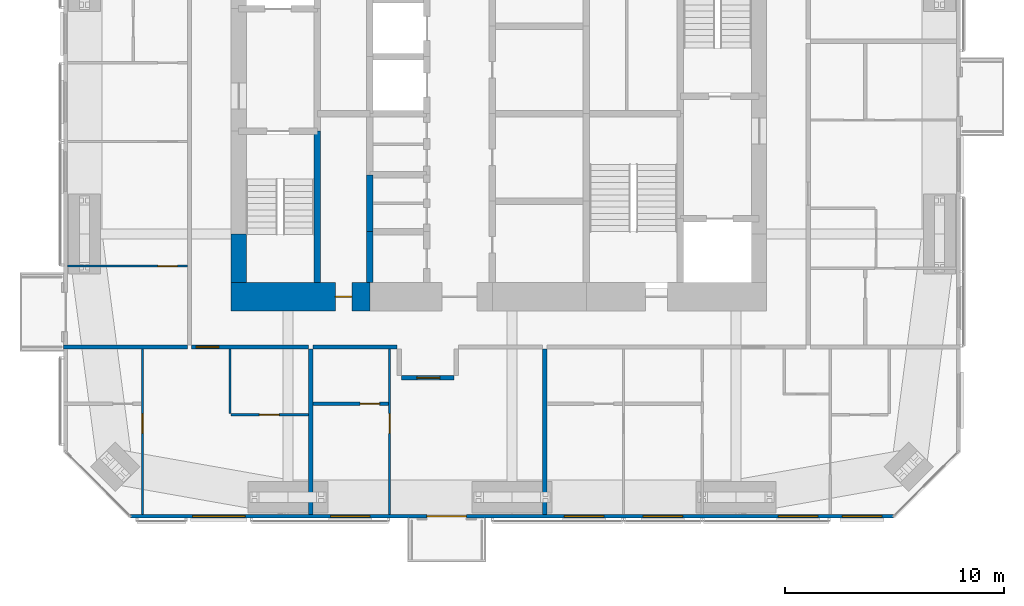
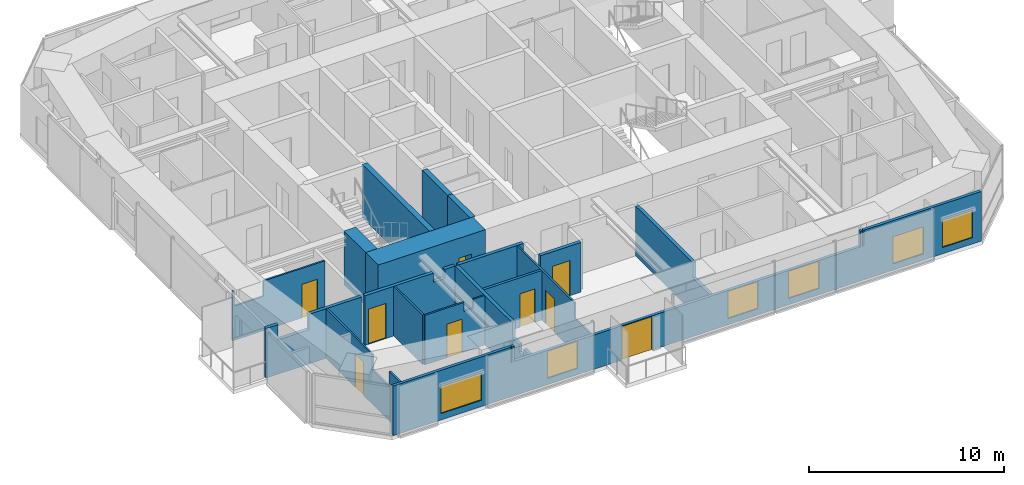
# One storey, part 16 of 23: 18 walls, 9 doors, 6 windows, 15 openings.
"""IFC4 building model written with IfcOpenShell, lengths in metres."""

from ifc_helpers import new_model, si_unit, direction, frame, frame_2d, origin, place, context, subcontext, project, spatial, polyline, rectangle, outline, extrude, material, layer, layer_set, constituent, constituent_set, type_object, element, fill, save


model = new_model("IFC4")

# Units and contexts
model_context = context("Model", 3, precision=1e-05, world=origin(), true_north=direction((0.0, 1.0)))
body_context = subcontext(model_context, "Body", "Model", "MODEL_VIEW")
ifc_project = project(units=[si_unit("LENGTHUNIT", "METRE"), si_unit("AREAUNIT", "SQUARE_METRE"), si_unit("VOLUMEUNIT", "CUBIC_METRE"), si_unit("PLANEANGLEUNIT", "RADIAN"), si_unit("MASSUNIT", "GRAM", prefix="KILO")], contexts=[model_context])

# Site, building, storey
site_placement = place(None, origin())
site = spatial("IfcSite", under=ifc_project, at=site_placement, CompositionType="ELEMENT")
building_placement = place(site_placement, origin())
building = spatial("IfcBuilding", under=site, at=building_placement, Name="Jalousie Tower", CompositionType="ELEMENT")
storey_placement = place(building_placement, frame((0.0, 0.0, 191.199951171875)))
storey = spatial("IfcBuildingStorey", under=building, at=storey_placement, Name="L52", CompositionType="ELEMENT", Elevation=191.199951171875)

# Wall, opening, door
ifc_material_1 = material(Name="Concrete block ASTM C90", Category="concrete")
ifc_constituent_1 = constituent(ifc_material_1, Name="Body")
ifc_material_2 = material(Name="Render")
ifc_constituent_2 = constituent(ifc_material_2, Name="Finish")
ifc_constituent_set_1 = constituent_set(constituents=[ifc_constituent_1, ifc_constituent_2])
wall_type_1 = type_object("IfcWallType", Name="BATHROOM WALL 150", PredefinedType="PLUMBINGWALL", material=ifc_constituent_set_1)
wall_1_placement = place(storey_placement, frame((23.39990234375, 5.22509765625, 0.0), z_axis=(0.0, 0.0, 1.0), x_axis=(1.0, 0.0, 0.0)))
wall_1 = element("IfcWall", 1, at=wall_1_placement, inside=storey, type_object=wall_type_1, Name="Bathroom Wall 150 L52", PredefinedType="PLUMBINGWALL", context=body_context, shape_type="SweptSolid", body=[
    extrude(rectangle(XDim=3.4501953125, YDim=0.14990234375, at=frame_2d((1.72509765625, 0.0))), origin(), (0.0, 0.0, 1.0), 3.110107421875),
])
opening_1_placement = place(wall_1_placement, frame((2.14990234375, 0.0, 0.0)))
opening_1 = element("IfcOpeningElement", 2, at=opening_1_placement, cuts=wall_1, Name="Opening D3", PredefinedType="OPENING", context=body_context, shape_type="SweptSolid", body=[
    extrude(rectangle(XDim=0.89990234375, YDim=2.10009765625, at=frame_2d((0.449951171875, 1.050048828125))), frame((0.0, 0.0849609375, 0.0), z_axis=(0.0, -1.0, 0.0), x_axis=(1.0, 0.0, 0.0)), (0.0, 0.0, 1.0), 0.169921875),
])
ifc_material_3 = material(Name="Timber door", Category="wood")
door_type_1 = type_object("IfcDoorType", Name="BATHROOM DOOR 900", OperationType="SINGLE_SWING_LEFT", PredefinedType="DOOR", material=ifc_material_3)
door_1_placement = place(opening_1_placement, origin())
door_1 = element("IfcDoor", 3, at=door_1_placement, inside=storey, type_object=door_type_1, Name="Apartment 5202 bedroom 1 bathroom door", OperationType="SINGLE_SWING_RIGHT", OverallHeight=2.10009765625, OverallWidth=0.89990234375, PredefinedType="DOOR", context=body_context, shape_type="SweptSolid", body=[
    extrude(rectangle(XDim=0.89990234375, YDim=2.10009765625, at=frame_2d((0.449951171875, 1.050048828125))), frame((0.0, 0.02490234375, 0.0), z_axis=(0.0, -1.0, 0.0), x_axis=(1.0, 0.0, 0.0)), (0.0, 0.0, 1.0), 0.050048828125),
])
fill(opening_1, door_1)

ifc_material_4 = material(Name="Concrete f'c 120 MPa", Category="concrete")
ifc_layer_1 = layer(ifc_material_4, 1.300048828125)
ifc_layer_set_1 = layer_set([ifc_layer_1], Name="Concrete f'c 120 MPa")
wall_type_2 = type_object("IfcWallType", Name="CORE WALL 1300", PredefinedType="SHEAR", material=ifc_layer_set_1)
wall_2_placement = place(storey_placement, frame((19.64990234375, 10.125, 0.0), z_axis=(0.0, 0.0, 1.0), x_axis=(1.0, 0.0, 0.0)))
wall_2 = element("IfcWall", 4, at=wall_2_placement, inside=storey, type_object=wall_type_2, Name="Core wall SA L52", PredefinedType="SHEAR", context=body_context, shape_type="SweptSolid", body=[
    extrude(rectangle(XDim=6.35009765625, YDim=1.300048828125, at=frame_2d((3.175048828125, 0.0))), origin(), (0.0, 0.0, 1.0), 3.35009765625),
])
opening_2_placement = place(wall_2_placement, frame((4.77490234375, 0.0, 0.0)))
opening_2 = element("IfcOpeningElement", 5, at=opening_2_placement, cuts=wall_2, Name="Opening D16", PredefinedType="OPENING", context=body_context, shape_type="SweptSolid", body=[
    extrude(rectangle(XDim=0.75, YDim=2.10009765625, at=frame_2d((0.375, 1.050048828125))), frame((0.0, 0.659912109375, 0.0), z_axis=(0.0, -1.0, 0.0), x_axis=(1.0, 0.0, 0.0)), (0.0, 0.0, 1.0), 1.320068359375),
])
ifc_material_5 = material(Name="Steel fire door", Category="steel")
door_type_2 = type_object("IfcDoorType", Name="RISER DOOR 750", OperationType="SINGLE_SWING_LEFT", PredefinedType="DOOR", material=ifc_material_5)
door_2_placement = place(opening_2_placement, origin())
door_2 = element("IfcDoor", 6, at=door_2_placement, inside=storey, type_object=door_type_2, Name="South riser door", OperationType="SINGLE_SWING_LEFT", OverallHeight=2.10009765625, OverallWidth=0.75, PredefinedType="DOOR", context=body_context, shape_type="SweptSolid", body=[
    extrude(rectangle(XDim=0.75, YDim=2.10009765625, at=frame_2d((0.375, 1.050048828125))), frame((0.0, 0.02490234375, 0.0), z_axis=(0.0, -1.0, 0.0), x_axis=(1.0, 0.0, 0.0)), (0.0, 0.0, 1.0), 0.050048828125),
])
fill(opening_2, door_2)

# Walls
ifc_material_6 = material(Name="Concrete f'c 120 MPa", Category="concrete")
ifc_layer_2 = layer(ifc_material_6, 0.300048828125)
ifc_layer_set_2 = layer_set([ifc_layer_2], Name="Concrete f'c 120 MPa")
wall_type_3 = type_object("IfcWallType", Name="CORE WALL 300", PredefinedType="SHEAR", material=ifc_layer_set_2)
wall_3_placement = place(storey_placement, frame((23.60009765625, 10.77490234375, 0.0), z_axis=(0.0, 0.0, 1.0), x_axis=(0.0, 1.0, 0.0)))
element("IfcWall", 7, at=wall_3_placement, inside=storey, type_object=wall_type_3, Name="Core wall X23.6A L52", PredefinedType="SHEAR", context=body_context, shape_type="SweptSolid", body=[
    extrude(rectangle(XDim=6.925048828125, YDim=0.300048828125, at=frame_2d((3.46240234375, 0.0))), origin(), (0.0, 0.0, 1.0), 3.35009765625),
])
wall_4_placement = place(storey_placement, frame((26.0, 10.77490234375, 0.0), z_axis=(0.0, 0.0, 1.0), x_axis=(0.0, 1.0, 0.0)))
element("IfcWall", 8, at=wall_4_placement, inside=storey, type_object=wall_type_3, Name="Core wall X26A L52", PredefinedType="SHEAR", context=body_context, shape_type="SweptSolid", body=[
    extrude(rectangle(XDim=2.3251953125, YDim=0.300048828125, at=frame_2d((1.16259765625, 0.0))), origin(), (0.0, 0.0, 1.0), 3.35009765625),
])
wall_5_placement = place(storey_placement, frame((26.0, 13.10009765625, 0.0), z_axis=(0.0, 0.0, 1.0), x_axis=(0.0, 1.0, 0.0)))
element("IfcWall", 9, at=wall_5_placement, inside=storey, type_object=wall_type_3, Name="Core wall X26B L52", PredefinedType="SHEAR", context=body_context, shape_type="SweptSolid", body=[
    extrude(rectangle(XDim=2.599853515625, YDim=0.300048828125, at=frame_2d((1.2998046875, 0.0))), origin(), (0.0, 0.0, 1.0), 3.35009765625),
])
ifc_material_7 = material(Name="Concrete f'c 120 MPa", Category="concrete")
ifc_layer_3 = layer(ifc_material_7, 0.699951171875)
ifc_layer_set_3 = layer_set([ifc_layer_3], Name="Concrete f'c 120 MPa")
wall_type_4 = type_object("IfcWallType", Name="CORE WALL 700", PredefinedType="SHEAR", material=ifc_layer_set_3)
wall_6_placement = place(storey_placement, frame((20.0, 13.0, 0.0), z_axis=(0.0, 0.0, 1.0), x_axis=(0.0, -1.0, 0.0)))
element("IfcWall", 10, at=wall_6_placement, inside=storey, type_object=wall_type_4, Name="Core wall WD L52", PredefinedType="SHEAR", context=body_context, shape_type="SweptSolid", body=[
    extrude(rectangle(XDim=2.22509765625, YDim=0.699951171875, at=frame_2d((1.112548828125, 0.0))), origin(), (0.0, 0.0, 1.0), 3.35009765625),
])

# Wall, opening, door
ifc_material_8 = material(Name="Concrete block ASTM C90", Category="concrete")
ifc_constituent_3 = constituent(ifc_material_8, Name="Body")
ifc_material_9 = material(Name="Render")
ifc_constituent_4 = constituent(ifc_material_9, Name="Finish")
ifc_constituent_set_2 = constituent_set(constituents=[ifc_constituent_3, ifc_constituent_4])
wall_type_5 = type_object("IfcWallType", Name="CORRIDOR WALL 200", PredefinedType="PARTITIONING", material=ifc_constituent_set_2)
wall_7_placement = place(storey_placement, frame((17.85009765625, 7.824951171875, 0.0), z_axis=(0.0, 0.0, 1.0), x_axis=(1.0, 0.0, 0.0)))
wall_7 = element("IfcWall", 11, at=wall_7_placement, inside=storey, type_object=wall_type_5, Name="Corridor Wall 200 L52", PredefinedType="PARTITIONING", context=body_context, shape_type="SweptSolid", body=[
    extrude(outline(polyline([(0.0, 0.0), (5.349853515625, 0.0), (5.35009765625, 3.110107421875), (4.7373046875, 3.110107421875), (4.7373046875, 2.541015625), (4.0625, 2.541015625), (4.0625, 3.110107421875), (0.0, 3.110107421875), (0.0, 0.0)])), frame((0.0, 0.10009765625, 0.0), z_axis=(0.0, -1.0, 0.0), x_axis=(1.0, 0.0, 0.0)), (0.0, 0.0, 1.0), 0.199951171875),
])
opening_3_placement = place(wall_7_placement, frame((0.199951171875, 0.0, 0.0)))
opening_3 = element("IfcOpeningElement", 12, at=opening_3_placement, cuts=wall_7, Name="Opening D1", PredefinedType="OPENING", context=body_context, shape_type="SweptSolid", body=[
    extrude(rectangle(XDim=1.050048828125, YDim=2.199951171875, at=frame_2d((0.52490234375, 1.10009765625))), frame((0.0, 0.10986328125, 0.0), z_axis=(0.0, -1.0, 0.0), x_axis=(1.0, 0.0, 0.0)), (0.0, 0.0, 1.0), 0.219970703125),
])
ifc_material_10 = material(Name="Timber fire door", Category="wood")
door_type_3 = type_object("IfcDoorType", Name="APARTMENT ENTRANCE DOOR 1050", OperationType="SINGLE_SWING_LEFT", PredefinedType="DOOR", material=ifc_material_10)
door_3_placement = place(opening_3_placement, frame((1.050048828125, 0.0, 0.0), z_axis=(0.0, 0.0, 1.0), x_axis=(-1.0, 0.0, 0.0)))
door_3 = element("IfcDoor", 13, at=door_3_placement, inside=storey, type_object=door_type_3, Name="Apartment 5201 entrance", OperationType="SINGLE_SWING_LEFT", OverallHeight=2.199951171875, OverallWidth=1.050048828125, PredefinedType="DOOR", context=body_context, shape_type="SweptSolid", body=[
    extrude(rectangle(XDim=1.050048828125, YDim=2.199951171875, at=frame_2d((0.52490234375, 1.10009765625))), frame((0.0, 0.02490234375, 0.0), z_axis=(0.0, -1.0, 0.0), x_axis=(1.0, 0.0, 0.0)), (0.0, 0.0, 1.0), 0.050048828125),
])
fill(opening_3, door_3)

# Wall
wall_8_placement = place(storey_placement, frame((23.39990234375, 7.824951171875, 0.0), z_axis=(0.0, 0.0, 1.0), x_axis=(1.0, 0.0, 0.0)))
element("IfcWall", 14, at=wall_8_placement, inside=storey, type_object=wall_type_5, Name="Corridor Wall 200 L52", PredefinedType="PARTITIONING", context=body_context, shape_type="SweptSolid", body=[
    extrude(rectangle(XDim=3.85009765625, YDim=0.199951171875, at=frame_2d((1.925048828125, 0.0))), origin(), (0.0, 0.0, 1.0), 3.110107421875),
])

# Wall, opening, door
wall_9_placement = place(storey_placement, frame((27.449951171875, 6.425048828125, 0.0), z_axis=(0.0, 0.0, 1.0), x_axis=(1.0, 0.0, 0.0)))
wall_9 = element("IfcWall", 15, at=wall_9_placement, inside=storey, type_object=wall_type_5, Name="Corridor Wall 200 L52", PredefinedType="PARTITIONING", context=body_context, shape_type="SweptSolid", body=[
    extrude(rectangle(XDim=2.400146484375, YDim=0.199951171875, at=frame_2d((1.2001953125, 0.0))), origin(), (0.0, 0.0, 1.0), 3.110107421875),
])
opening_4_placement = place(wall_9_placement, frame((0.699951171875, 0.0, 0.0)))
opening_4 = element("IfcOpeningElement", 16, at=opening_4_placement, cuts=wall_9, Name="Opening D1", PredefinedType="OPENING", context=body_context, shape_type="SweptSolid", body=[
    extrude(rectangle(XDim=1.050048828125, YDim=2.199951171875, at=frame_2d((0.52490234375, 1.10009765625))), frame((0.0, 0.10986328125, 0.0), z_axis=(0.0, -1.0, 0.0), x_axis=(1.0, 0.0, 0.0)), (0.0, 0.0, 1.0), 0.219970703125),
])
door_4_placement = place(opening_4_placement, frame((1.050048828125, 0.0, 0.0), z_axis=(0.0, 0.0, 1.0), x_axis=(-1.0, 0.0, 0.0)))
door_4 = element("IfcDoor", 17, at=door_4_placement, inside=storey, type_object=door_type_3, Name="Apartment 5202 entrance", OperationType="SINGLE_SWING_RIGHT", OverallHeight=2.199951171875, OverallWidth=1.050048828125, PredefinedType="DOOR", context=body_context, shape_type="SweptSolid", body=[
    extrude(rectangle(XDim=1.050048828125, YDim=2.199951171875, at=frame_2d((0.52490234375, 1.10009765625))), frame((0.0, 0.02490234375, 0.0), z_axis=(0.0, -1.0, 0.0), x_axis=(1.0, 0.0, 0.0)), (0.0, 0.0, 1.0), 0.050048828125),
])
fill(opening_4, door_4)

# Wall, openings, door, windows
ifc_material_11 = material(Name="Concrete f'c 40 MPa", Category="concrete")
ifc_constituent_5 = constituent(ifc_material_11, Name="Body")
ifc_material_12 = material(Name="Render, pastel lemon")
ifc_constituent_6 = constituent(ifc_material_12, Name="Finish")
ifc_constituent_set_3 = constituent_set(constituents=[ifc_constituent_5, ifc_constituent_6])
wall_type_6 = type_object("IfcWallType", Name="EXTERNAL WALL 175 LEMON RENDER", PredefinedType="SOLIDWALL", material=ifc_constituent_set_3)
wall_10_placement = place(storey_placement, frame((15.05126953125, 0.08740234375, 0.0), z_axis=(0.0, 0.0, 1.0), x_axis=(1.0, 0.0, 0.0)))
wall_10 = element("IfcWall", 18, at=wall_10_placement, inside=storey, type_object=wall_type_6, Name="External Wall 175 Lemon Render L52", PredefinedType="SOLIDWALL", context=body_context, shape_type="SweptSolid", body=[
    extrude(outline(polyline([(0.0, 0.0), (34.8974609375, 0.0), (34.8974609375, 3.110107421875), (27.91015625, 3.110107421875), (27.91015625, 2.150146484375), (27.8359375, 2.150146484375), (27.8359375, 3.110107421875), (27.69873046875, 3.110107421875), (27.69873046875, 2.150146484375), (7.19873046875, 2.150146484375), (7.19873046875, 3.110107421875), (7.0615234375, 3.110107421875), (7.0615234375, 2.150146484375), (6.9873046875, 2.150146484375), (6.9873046875, 3.110107421875), (0.0, 3.110107421875), (0.0, 0.0)])), frame((0.0, 0.08740234375, 0.0), z_axis=(0.0, -1.0, 0.0), x_axis=(1.0, 0.0, 0.0)), (0.0, 0.0, 1.0), 0.175048828125),
])
opening_5_placement = place(wall_10_placement, frame((2.840087890625, 0.0, 0.39990234375)))
opening_5 = element("IfcOpeningElement", 19, at=opening_5_placement, cuts=wall_10, Name="Opening W-LIV170", PredefinedType="OPENING", context=body_context, shape_type="SweptSolid", body=[
    extrude(rectangle(XDim=2.39990234375, YDim=1.699951171875, at=frame_2d((1.199951171875, 0.85009765625))), frame((0.0, 0.097412109375, 0.0), z_axis=(0.0, -1.0, 0.0), x_axis=(1.0, 0.0, 0.0)), (0.0, 0.0, 1.0), 0.195068359375),
])
opening_6_placement = place(wall_10_placement, frame((9.148681640625, 0.0, 0.39990234375)))
opening_6 = element("IfcOpeningElement", 20, at=opening_6_placement, cuts=wall_10, Name="Opening W-BED170", PredefinedType="OPENING", context=body_context, shape_type="SweptSolid", body=[
    extrude(rectangle(XDim=1.800048828125, YDim=1.699951171875, at=frame_2d((0.89990234375, 0.85009765625))), frame((0.0, 0.097412109375, 0.0), z_axis=(0.0, -1.0, 0.0), x_axis=(1.0, 0.0, 0.0)), (0.0, 0.0, 1.0), 0.195068359375),
])
opening_7_placement = place(wall_10_placement, frame((13.561279296875, 0.0, 0.0)))
opening_7 = element("IfcOpeningElement", 21, at=opening_7_placement, cuts=wall_10, Name="Opening D-BAL21", PredefinedType="OPENING", context=body_context, shape_type="SweptSolid", body=[
    extrude(rectangle(XDim=1.800048828125, YDim=2.10009765625, at=frame_2d((0.89990234375, 1.050048828125))), frame((0.0, 0.097412109375, 0.0), z_axis=(0.0, -1.0, 0.0), x_axis=(1.0, 0.0, 0.0)), (0.0, 0.0, 1.0), 0.195068359375),
])
opening_8_placement = place(wall_10_placement, frame((19.8486328125, 0.0, 0.39990234375)))
opening_8 = element("IfcOpeningElement", 22, at=opening_8_placement, cuts=wall_10, Name="Opening W-BED170", PredefinedType="OPENING", context=body_context, shape_type="SweptSolid", body=[
    extrude(rectangle(XDim=1.800048828125, YDim=1.699951171875, at=frame_2d((0.89990234375, 0.85009765625))), frame((0.0, 0.097412109375, 0.0), z_axis=(0.0, -1.0, 0.0), x_axis=(1.0, 0.0, 0.0)), (0.0, 0.0, 1.0), 0.195068359375),
])
opening_9_placement = place(wall_10_placement, frame((23.44873046875, 0.0, 0.39990234375)))
opening_9 = element("IfcOpeningElement", 23, at=opening_9_placement, cuts=wall_10, Name="Opening W-BED170", PredefinedType="OPENING", context=body_context, shape_type="SweptSolid", body=[
    extrude(rectangle(XDim=1.800048828125, YDim=1.699951171875, at=frame_2d((0.89990234375, 0.85009765625))), frame((0.0, 0.097412109375, 0.0), z_axis=(0.0, -1.0, 0.0), x_axis=(1.0, 0.0, 0.0)), (0.0, 0.0, 1.0), 0.195068359375),
])
opening_10_placement = place(wall_10_placement, frame((29.63623046875, 0.0, 0.39990234375)))
opening_10 = element("IfcOpeningElement", 24, at=opening_10_placement, cuts=wall_10, Name="Opening W-BED170", PredefinedType="OPENING", context=body_context, shape_type="SweptSolid", body=[
    extrude(rectangle(XDim=1.800048828125, YDim=1.699951171875, at=frame_2d((0.89990234375, 0.85009765625))), frame((0.0, 0.097412109375, 0.0), z_axis=(0.0, -1.0, 0.0), x_axis=(1.0, 0.0, 0.0)), (0.0, 0.0, 1.0), 0.195068359375),
])
opening_11_placement = place(wall_10_placement, frame((32.559814453125, 0.0, 0.39990234375)))
opening_11 = element("IfcOpeningElement", 25, at=opening_11_placement, cuts=wall_10, Name="Opening W-BED170", PredefinedType="OPENING", context=body_context, shape_type="SweptSolid", body=[
    extrude(rectangle(XDim=1.800048828125, YDim=1.699951171875, at=frame_2d((0.89990234375, 0.85009765625))), frame((0.0, 0.097412109375, 0.0), z_axis=(0.0, -1.0, 0.0), x_axis=(1.0, 0.0, 0.0)), (0.0, 0.0, 1.0), 0.195068359375),
])
ifc_material_13 = material(Name="Aluminium frame, impact-rated glazing", Category="aluminium")
door_type_4 = type_object("IfcDoorType", Name="BALCONY DOOR 1800x2100", OperationType="SLIDING_TO_LEFT", PredefinedType="DOOR", material=ifc_material_13)
door_5_placement = place(opening_7_placement, origin())
door_5 = element("IfcDoor", 26, at=door_5_placement, inside=storey, type_object=door_type_4, Name="Apartment 5202 living, dining and kitchen balcony door", OperationType="SLIDING_TO_LEFT", OverallHeight=2.10009765625, OverallWidth=1.800048828125, PredefinedType="DOOR", context=body_context, shape_type="SweptSolid", body=[
    extrude(rectangle(XDim=1.800048828125, YDim=2.10009765625, at=frame_2d((0.89990234375, 1.050048828125))), frame((0.0, 0.02490234375, 0.0), z_axis=(0.0, -1.0, 0.0), x_axis=(1.0, 0.0, 0.0)), (0.0, 0.0, 1.0), 0.050048828125),
])
fill(opening_7, door_5)
ifc_material_14 = material(Name="Aluminium frame, impact-rated glazing", Category="aluminium")
window_type_1 = type_object("IfcWindowType", Name="WINDOW BED 1800x1700", PartitioningType="SINGLE_PANEL", PredefinedType="WINDOW", material=ifc_material_14)
window_1_placement = place(opening_6_placement, origin())
window_1 = element("IfcWindow", 27, at=window_1_placement, inside=storey, type_object=window_type_1, Name="Apartment 5202 bedroom 1 window", OverallHeight=1.699951171875, OverallWidth=1.800048828125, PartitioningType="SINGLE_PANEL", PredefinedType="WINDOW", context=body_context, shape_type="SweptSolid", body=[
    extrude(rectangle(XDim=1.800048828125, YDim=1.699951171875, at=frame_2d((0.89990234375, 0.85009765625))), frame((0.0, 0.030029296875, 0.0), z_axis=(0.0, -1.0, 0.0), x_axis=(1.0, 0.0, 0.0)), (0.0, 0.0, 1.0), 0.06005859375),
])
fill(opening_6, window_1)
window_2_placement = place(opening_8_placement, origin())
window_2 = element("IfcWindow", 28, at=window_2_placement, inside=storey, type_object=window_type_1, Name="Apartment 5203 bedroom 1 window", OverallHeight=1.699951171875, OverallWidth=1.800048828125, PartitioningType="SINGLE_PANEL", PredefinedType="WINDOW", context=body_context, shape_type="SweptSolid", body=[
    extrude(rectangle(XDim=1.800048828125, YDim=1.699951171875, at=frame_2d((0.89990234375, 0.85009765625))), frame((0.0, 0.030029296875, 0.0), z_axis=(0.0, -1.0, 0.0), x_axis=(1.0, 0.0, 0.0)), (0.0, 0.0, 1.0), 0.06005859375),
])
fill(opening_8, window_2)
window_3_placement = place(opening_9_placement, origin())
window_3 = element("IfcWindow", 29, at=window_3_placement, inside=storey, type_object=window_type_1, Name="Apartment 5203 bedroom 2 window", OverallHeight=1.699951171875, OverallWidth=1.800048828125, PartitioningType="SINGLE_PANEL", PredefinedType="WINDOW", context=body_context, shape_type="SweptSolid", body=[
    extrude(rectangle(XDim=1.800048828125, YDim=1.699951171875, at=frame_2d((0.89990234375, 0.85009765625))), frame((0.0, 0.030029296875, 0.0), z_axis=(0.0, -1.0, 0.0), x_axis=(1.0, 0.0, 0.0)), (0.0, 0.0, 1.0), 0.06005859375),
])
fill(opening_9, window_3)
window_4_placement = place(opening_10_placement, origin())
window_4 = element("IfcWindow", 30, at=window_4_placement, inside=storey, type_object=window_type_1, Name="Apartment 5203 study window", OverallHeight=1.699951171875, OverallWidth=1.800048828125, PartitioningType="SINGLE_PANEL", PredefinedType="WINDOW", context=body_context, shape_type="SweptSolid", body=[
    extrude(rectangle(XDim=1.800048828125, YDim=1.699951171875, at=frame_2d((0.89990234375, 0.85009765625))), frame((0.0, 0.030029296875, 0.0), z_axis=(0.0, -1.0, 0.0), x_axis=(1.0, 0.0, 0.0)), (0.0, 0.0, 1.0), 0.06005859375),
])
fill(opening_10, window_4)
window_5_placement = place(opening_11_placement, origin())
window_5 = element("IfcWindow", 31, at=window_5_placement, inside=storey, type_object=window_type_1, Name="Apartment 5203 living and dining room window", OverallHeight=1.699951171875, OverallWidth=1.800048828125, PartitioningType="SINGLE_PANEL", PredefinedType="WINDOW", context=body_context, shape_type="SweptSolid", body=[
    extrude(rectangle(XDim=1.800048828125, YDim=1.699951171875, at=frame_2d((0.89990234375, 0.85009765625))), frame((0.0, 0.030029296875, 0.0), z_axis=(0.0, -1.0, 0.0), x_axis=(1.0, 0.0, 0.0)), (0.0, 0.0, 1.0), 0.06005859375),
])
fill(opening_11, window_5)
ifc_material_15 = material(Name="Aluminium frame, impact-rated glazing", Category="aluminium")
window_type_2 = type_object("IfcWindowType", Name="WINDOW LIV 2400x1700", PartitioningType="DOUBLE_PANEL_VERTICAL", PredefinedType="WINDOW", material=ifc_material_15)
window_6_placement = place(opening_5_placement, origin())
window_6 = element("IfcWindow", 32, at=window_6_placement, inside=storey, type_object=window_type_2, Name="Apartment 5201 living and dining room window", OverallHeight=1.699951171875, OverallWidth=2.39990234375, PartitioningType="SINGLE_PANEL", PredefinedType="WINDOW", context=body_context, shape_type="SweptSolid", body=[
    extrude(rectangle(XDim=2.39990234375, YDim=1.699951171875, at=frame_2d((1.199951171875, 0.85009765625))), frame((0.0, 0.030029296875, 0.0), z_axis=(0.0, -1.0, 0.0), x_axis=(1.0, 0.0, 0.0)), (0.0, 0.0, 1.0), 0.06005859375),
])
fill(opening_5, window_6)

# Wall, opening, door
ifc_material_16 = material(Name="Gypsum board", Category="gypsum")
ifc_constituent_7 = constituent(ifc_material_16, Name="Body")
ifc_material_17 = material(Name="Light-gauge steel studs ASTM A653 SS Grade 33", Category="steel")
ifc_constituent_8 = constituent(ifc_material_17, Name="Framing")
ifc_constituent_set_4 = constituent_set(constituents=[ifc_constituent_7, ifc_constituent_8])
wall_type_7 = type_object("IfcWallType", Name="PARTITION 100", PredefinedType="PARTITIONING", material=ifc_constituent_set_4)
wall_11_placement = place(storey_placement, frame((15.60009765625, 0.175048828125, 0.0), z_axis=(0.0, 0.0, 1.0), x_axis=(0.0, 1.0, 0.0)))
wall_11 = element("IfcWall", 33, at=wall_11_placement, inside=storey, type_object=wall_type_7, Name="Partition 100 L52", PredefinedType="PARTITIONING", context=body_context, shape_type="SweptSolid", body=[
    extrude(outline(polyline([(0.0, 0.0), (7.550048828125, 0.0), (7.550048828125, 3.110107421875), (2.825439453125, 3.110107421875), (2.825439453125, 2.150146484375), (1.07861328125, 2.150146484375), (1.07861328125, 3.110107421875), (0.0, 3.110107421875), (0.0, 0.0)])), frame((0.0, 0.050048828125, 0.0), z_axis=(0.0, -1.0, 0.0), x_axis=(1.0, 0.0, 0.0)), (0.0, 0.0, 1.0), 0.10009765625),
])
opening_12_placement = place(wall_11_placement, frame((3.699951171875, 0.0, 0.0)))
opening_12 = element("IfcOpeningElement", 34, at=opening_12_placement, cuts=wall_11, Name="Opening D2", PredefinedType="OPENING", context=body_context, shape_type="SweptSolid", body=[
    extrude(rectangle(XDim=0.89990234375, YDim=2.10009765625, at=frame_2d((0.449951171875, 1.050048828125))), frame((0.0, 0.06005859375, 0.0), z_axis=(0.0, -1.0, 0.0), x_axis=(1.0, 0.0, 0.0)), (0.0, 0.0, 1.0), 0.1201171875),
])
ifc_material_18 = material(Name="Timber door", Category="wood")
door_type_5 = type_object("IfcDoorType", Name="BEDROOM DOOR 900", OperationType="SINGLE_SWING_LEFT", PredefinedType="DOOR", material=ifc_material_18)
door_6_placement = place(opening_12_placement, origin())
door_6 = element("IfcDoor", 35, at=door_6_placement, inside=storey, type_object=door_type_5, Name="Apartment 5201 bedroom 1 door", OperationType="SINGLE_SWING_RIGHT", OverallHeight=2.10009765625, OverallWidth=0.89990234375, PredefinedType="DOOR", context=body_context, shape_type="SweptSolid", body=[
    extrude(rectangle(XDim=0.89990234375, YDim=2.10009765625, at=frame_2d((0.449951171875, 1.050048828125))), frame((0.0, 0.02490234375, 0.0), z_axis=(0.0, -1.0, 0.0), x_axis=(1.0, 0.0, 0.0)), (0.0, 0.0, 1.0), 0.050048828125),
])
fill(opening_12, door_6)

wall_12_placement = place(storey_placement, frame((19.64990234375, 4.72509765625, 0.0), z_axis=(0.0, 0.0, 1.0), x_axis=(1.0, 0.0, 0.0)))
wall_12 = element("IfcWall", 36, at=wall_12_placement, inside=storey, type_object=wall_type_7, Name="Partition 100 L52", PredefinedType="PARTITIONING", context=body_context, shape_type="SweptSolid", body=[
    extrude(outline(polyline([(0.0, 0.0), (3.550048828125, 0.0), (3.550048828125, 3.110107421875), (2.88720703125, 3.110107421875), (2.88720703125, 2.541015625), (2.3125, 2.541015625), (2.3125, 3.110107421875), (0.0, 3.110107421875), (0.0, 0.0)])), frame((0.0, 0.050048828125, 0.0), z_axis=(0.0, -1.0, 0.0), x_axis=(1.0, 0.0, 0.0)), (0.0, 0.0, 1.0), 0.10009765625),
])
opening_13_placement = place(wall_12_placement, frame((1.300048828125, 0.0, 0.0)))
opening_13 = element("IfcOpeningElement", 37, at=opening_13_placement, cuts=wall_12, Name="Opening D7", PredefinedType="OPENING", context=body_context, shape_type="SweptSolid", body=[
    extrude(rectangle(XDim=0.89990234375, YDim=2.10009765625, at=frame_2d((0.449951171875, 1.050048828125))), frame((0.0, 0.06005859375, 0.0), z_axis=(0.0, -1.0, 0.0), x_axis=(1.0, 0.0, 0.0)), (0.0, 0.0, 1.0), 0.1201171875),
])
ifc_material_19 = material(Name="Timber door", Category="wood")
door_type_6 = type_object("IfcDoorType", Name="INTERNAL DOOR 900", OperationType="SINGLE_SWING_LEFT", PredefinedType="DOOR", material=ifc_material_19)
door_7_placement = place(opening_13_placement, frame((0.89990234375, 0.0, 0.0), z_axis=(0.0, 0.0, 1.0), x_axis=(-1.0, 0.0, 0.0)))
door_7 = element("IfcDoor", 38, at=door_7_placement, inside=storey, type_object=door_type_6, Name="Apartment 5201 kitchen door", OperationType="SINGLE_SWING_LEFT", OverallHeight=2.10009765625, OverallWidth=0.89990234375, PredefinedType="DOOR", context=body_context, shape_type="SweptSolid", body=[
    extrude(rectangle(XDim=0.89990234375, YDim=2.10009765625, at=frame_2d((0.449951171875, 1.050048828125))), frame((0.0, 0.02490234375, 0.0), z_axis=(0.0, -1.0, 0.0), x_axis=(1.0, 0.0, 0.0)), (0.0, 0.0, 1.0), 0.050048828125),
])
fill(opening_13, door_7)

# Wall
wall_13_placement = place(storey_placement, frame((19.60009765625, 4.77490234375, 0.0), z_axis=(0.0, 0.0, 1.0), x_axis=(0.0, 1.0, 0.0)))
element("IfcWall", 39, at=wall_13_placement, inside=storey, type_object=wall_type_7, Name="Partition 100 L52", PredefinedType="PARTITIONING", context=body_context, shape_type="SweptSolid", body=[
    extrude(rectangle(XDim=2.9501953125, YDim=0.10009765625, at=frame_2d((1.47509765625, 0.0))), origin(), (0.0, 0.0, 1.0), 3.110107421875),
])

# Wall, opening, door
wall_14_placement = place(storey_placement, frame((26.89990234375, 0.175048828125, 0.0), z_axis=(0.0, 0.0, 1.0), x_axis=(0.0, 1.0, 0.0)))
wall_14 = element("IfcWall", 40, at=wall_14_placement, inside=storey, type_object=wall_type_7, Name="Partition 100 L52", PredefinedType="PARTITIONING", context=body_context, shape_type="SweptSolid", body=[
    extrude(outline(polyline([(0.0, 0.0), (7.550048828125, 0.0), (7.550048828125, 3.110107421875), (1.635009765625, 3.110107421875), (1.635009765625, 2.150146484375), (0.0, 2.150146484375), (0.0, 3.110107421875), (0.0, 0.0)])), frame((0.0, 0.050048828125, 0.0), z_axis=(0.0, -1.0, 0.0), x_axis=(1.0, 0.0, 0.0)), (0.0, 0.0, 1.0), 0.10009765625),
])
opening_14_placement = place(wall_14_placement, frame((3.699951171875, 0.0, 0.0)))
opening_14 = element("IfcOpeningElement", 41, at=opening_14_placement, cuts=wall_14, Name="Opening D2", PredefinedType="OPENING", context=body_context, shape_type="SweptSolid", body=[
    extrude(rectangle(XDim=0.89990234375, YDim=2.10009765625, at=frame_2d((0.449951171875, 1.050048828125))), frame((0.0, 0.06005859375, 0.0), z_axis=(0.0, -1.0, 0.0), x_axis=(1.0, 0.0, 0.0)), (0.0, 0.0, 1.0), 0.1201171875),
])
door_8_placement = place(opening_14_placement, origin())
door_8 = element("IfcDoor", 42, at=door_8_placement, inside=storey, type_object=door_type_5, Name="Apartment 5202 bedroom 1 door", OperationType="SINGLE_SWING_RIGHT", OverallHeight=2.10009765625, OverallWidth=0.89990234375, PredefinedType="DOOR", context=body_context, shape_type="SweptSolid", body=[
    extrude(rectangle(XDim=0.89990234375, YDim=2.10009765625, at=frame_2d((0.449951171875, 1.050048828125))), frame((0.0, 0.02490234375, 0.0), z_axis=(0.0, -1.0, 0.0), x_axis=(1.0, 0.0, 0.0)), (0.0, 0.0, 1.0), 0.050048828125),
])
fill(opening_14, door_8)

wall_15_placement = place(storey_placement, frame((12.175048828125, 11.52490234375, 0.0), z_axis=(0.0, 0.0, 1.0), x_axis=(1.0, 0.0, 0.0)))
wall_15 = element("IfcWall", 43, at=wall_15_placement, inside=storey, type_object=wall_type_7, Name="Partition 100 L52", PredefinedType="PARTITIONING", context=body_context, shape_type="SweptSolid", body=[
    extrude(outline(polyline([(0.0, 0.0), (5.474853515625, 0.0), (5.47509765625, 3.110107421875), (1.8359375, 3.110107421875), (1.8359375, 2.150146484375), (0.101318359375, 2.150146484375), (0.101318359375, 3.110107421875), (0.0, 3.110107421875), (0.0, 0.0)])), frame((0.0, 0.050048828125, 0.0), z_axis=(0.0, -1.0, 0.0), x_axis=(1.0, 0.0, 0.0)), (0.0, 0.0, 1.0), 0.10009765625),
])
opening_15_placement = place(wall_15_placement, frame((4.125, 0.0, 0.0)))
opening_15 = element("IfcOpeningElement", 44, at=opening_15_placement, cuts=wall_15, Name="Opening D2", PredefinedType="OPENING", context=body_context, shape_type="SweptSolid", body=[
    extrude(rectangle(XDim=0.89990234375, YDim=2.10009765625, at=frame_2d((0.449951171875, 1.050048828125))), frame((0.0, 0.06005859375, 0.0), z_axis=(0.0, -1.0, 0.0), x_axis=(1.0, 0.0, 0.0)), (0.0, 0.0, 1.0), 0.1201171875),
])
door_9_placement = place(opening_15_placement, origin())
door_9 = element("IfcDoor", 45, at=door_9_placement, inside=storey, type_object=door_type_5, Name="Apartment 5208 bedroom 1 door", OperationType="SINGLE_SWING_RIGHT", OverallHeight=2.10009765625, OverallWidth=0.89990234375, PredefinedType="DOOR", context=body_context, shape_type="SweptSolid", body=[
    extrude(rectangle(XDim=0.89990234375, YDim=2.10009765625, at=frame_2d((0.449951171875, 1.050048828125))), frame((0.0, 0.02490234375, 0.0), z_axis=(0.0, -1.0, 0.0), x_axis=(1.0, 0.0, 0.0)), (0.0, 0.0, 1.0), 0.050048828125),
])
fill(opening_15, door_9)

# Walls
ifc_material_20 = material(Name="Concrete block ASTM C90", Category="concrete")
ifc_constituent_9 = constituent(ifc_material_20, Name="Body")
ifc_material_21 = material(Name="Render")
ifc_constituent_10 = constituent(ifc_material_21, Name="Finish")
ifc_constituent_set_5 = constituent_set(constituents=[ifc_constituent_9, ifc_constituent_10])
wall_type_8 = type_object("IfcWallType", Name="PARTY WALL 200", PredefinedType="PARTITIONING", material=ifc_constituent_set_5)
wall_16_placement = place(storey_placement, frame((23.300048828125, 0.175048828125, 0.0), z_axis=(0.0, 0.0, 1.0), x_axis=(0.0, 1.0, 0.0)))
element("IfcWall", 46, at=wall_16_placement, inside=storey, type_object=wall_type_8, Name="Party Wall 200 L52", PredefinedType="PARTITIONING", context=body_context, shape_type="SweptSolid", body=[
    extrude(outline(polyline([(0.52880859375, 2.150146484375), (0.0, 2.150146484375), (0.0, 0.0), (0.52880859375, 0.0), (0.52880859375, 0.4716796875), (1.021240234375, 0.4716796875), (1.021240234375, 0.0), (7.550048828125, 0.0), (7.550048828125, 3.110107421875), (1.68505859375, 3.110107421875), (1.68505859375, 2.150146484375), (1.021240234375, 2.150146484375), (1.021240234375, 1.678466796875), (0.52880859375, 1.678466796875), (0.52880859375, 2.150146484375)])), frame((0.0, 0.10009765625, 0.0), z_axis=(0.0, -1.0, 0.0), x_axis=(1.0, 0.0, 0.0)), (0.0, 0.0, 1.0), 0.199951171875),
])
wall_17_placement = place(storey_placement, frame((34.0, 0.175048828125, 0.0), z_axis=(0.0, 0.0, 1.0), x_axis=(0.0, 1.0, 0.0)))
element("IfcWall", 47, at=wall_17_placement, inside=storey, type_object=wall_type_8, Name="Party Wall 200 L52", PredefinedType="PARTITIONING", context=body_context, shape_type="SweptSolid", body=[
    extrude(outline(polyline([(0.0, 0.0), (7.550048828125, 0.0), (7.550048828125, 3.110107421875), (1.68505859375, 3.110107421875), (1.68505859375, 2.150146484375), (0.0, 2.150146484375), (0.0, 3.110107421875), (0.0, 0.0)])), frame((0.0, 0.10009765625, 0.0), z_axis=(0.0, -1.0, 0.0), x_axis=(1.0, 0.0, 0.0)), (0.0, 0.0, 1.0), 0.199951171875),
])
wall_18_placement = place(storey_placement, frame((12.0, 7.824951171875, 0.0), z_axis=(0.0, 0.0, 1.0), x_axis=(1.0, 0.0, 0.0)))
element("IfcWall", 48, at=wall_18_placement, inside=storey, type_object=wall_type_8, Name="Party Wall 200 L52", PredefinedType="PARTITIONING", context=body_context, shape_type="SweptSolid", body=[
    extrude(outline(polyline([(0.0, 0.0), (5.64990234375, 0.0), (5.64990234375, 3.110107421875), (2.54736328125, 3.110107421875), (2.54736328125, 2.150146484375), (0.711669921875, 2.150146484375), (0.711669921875, 3.110107421875), (0.0, 3.110107421875), (0.0, 0.0)])), frame((0.0, 0.10009765625, 0.0), z_axis=(0.0, -1.0, 0.0), x_axis=(1.0, 0.0, 0.0)), (0.0, 0.0, 1.0), 0.199951171875),
])

save(model, "model.ifc")
